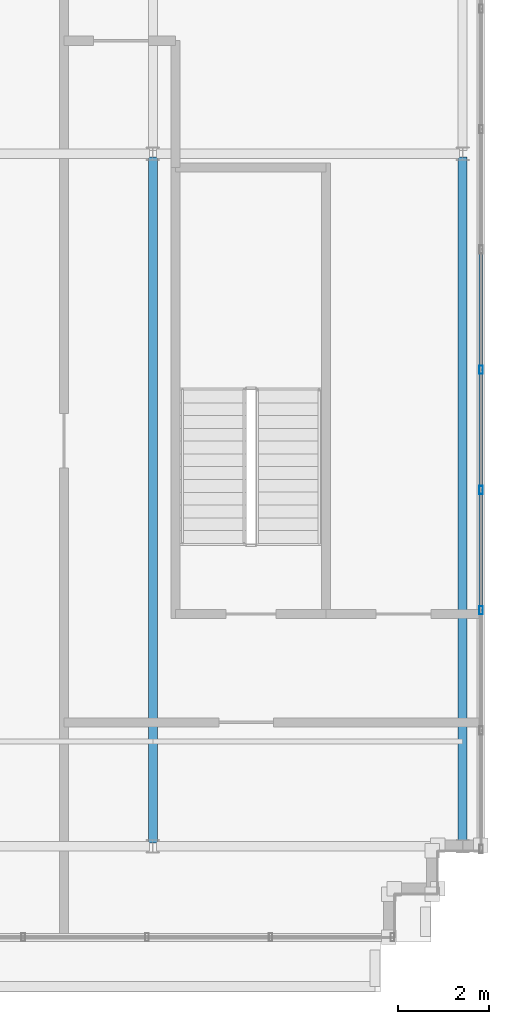
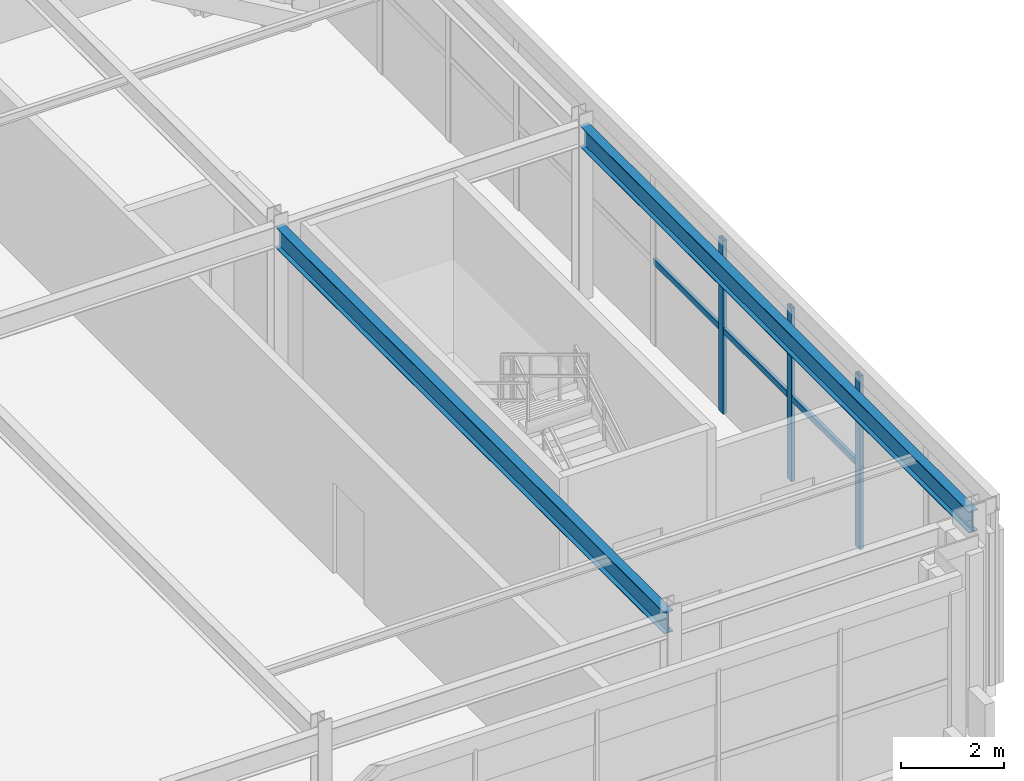
# One storey, part 17 of 31: 6 members, 2 beams, 1 element without a shape of its own.
"""IFC4 building model written with IfcOpenShell, lengths in metres."""

from ifc_helpers import new_model, si_unit, direction, frame, origin, origin_2d, place, context, subcontext, project, spatial, hollow_rectangle, i_section, extrude, source, transform, mapped, material, material_profile, profile_set, type_object, element, aggregate, save


model = new_model("IFC4")

# Units and contexts
model_context = context("Model", 3, precision=1e-05, world=origin(), true_north=direction((0.0, 1.0)))
body_context = subcontext(model_context, "Body", "Model", "MODEL_VIEW")
ifc_project = project(units=[si_unit("LENGTHUNIT", "METRE"), si_unit("AREAUNIT", "SQUARE_METRE"), si_unit("VOLUMEUNIT", "CUBIC_METRE"), si_unit("PLANEANGLEUNIT", "RADIAN"), si_unit("MASSUNIT", "GRAM", prefix="KILO")], contexts=[model_context])

# Site, building, storey
site_placement = place(None, origin())
site = spatial("IfcSite", under=ifc_project, at=site_placement, CompositionType="ELEMENT")
building_placement = place(site_placement, origin())
building = spatial("IfcBuilding", under=site, at=building_placement, Name="Trelvane Seafront Commons", CompositionType="ELEMENT")
storey_placement = place(building_placement, frame((0.0, 0.0, 307.89990234375)))
storey = spatial("IfcBuildingStorey", under=building, at=storey_placement, Name="L80", CompositionType="ELEMENT", Elevation=307.89990234375)

# Beams
ifc_material_1 = material(Name="Steel SM355 (S355)", Category="steel")
ifc_material_profile_1 = material_profile(ifc_material_1, i_section(OverallWidth=0.199951171875, OverallDepth=0.5, WebThickness=0.010009765625, FlangeThickness=0.01611328125, at=origin_2d()), Name="H-500x200x10x16")
ifc_profile_set_1 = profile_set([ifc_material_profile_1], Name="Steel SM355 (S355)")
beam_type = type_object("IfcBeamType", Name="STR-BM-H500", PredefinedType="BEAM", material=ifc_profile_set_1)
shared_shape_1 = source(origin(), body_context, "Body", "SweptSolid", [
    extrude(i_section(OverallWidth=0.199951171875, OverallDepth=0.5, WebThickness=0.010009765625, FlangeThickness=0.01611328125, at=origin_2d()), origin(), (0.0, 0.0, 1.0), 15.050048828125),
])
for number, where, z_axis, x_axis, name in (
    (1, (58.800048828125, 18.27490234375, 3.85009765625), (0.0, 1.0, 0.0), (-1.0, 0.0, 0.0), "L80 Primary Girder G-34"),
    (2, (65.60009765625, 18.27490234375, 3.85009765625), (0.0, 1.0, 0.0), (-1.0, 0.0, 0.0), "L80 Primary Girder G-36"),
):
    element("IfcBeam", number, at=place(storey_placement, frame(where, z_axis=z_axis, x_axis=x_axis)), inside=storey, type_object=beam_type, Name=name, PredefinedType="BEAM", context=body_context, shape_type="MappedRepresentation", body=[
        mapped(shared_shape_1, transform((0.0, 0.0, 0.0), x_axis=(1.0, 0.0, 0.0), y_axis=(0.0, 1.0, 0.0), z_axis=(0.0, 0.0, 1.0), scale=1.0)),
    ])

# Curtain wall, members
ifc_material_2 = material(Name="Anodised pale-silver aluminium", Category="aluminium")
curtain_wall_type = type_object("IfcCurtainWallType", Name="ARCH-CW6-CROWN", PredefinedType="NOTDEFINED", material=ifc_material_2)
curtain_wall_placement = place(storey_placement, origin())
curtain_wall = element("IfcCurtainWall", 3, at=curtain_wall_placement, inside=storey, type_object=curtain_wall_type, Name="CW-L80-0142", PredefinedType="NOTDEFINED")
ifc_material_profile_2 = material_profile(ifc_material_2, hollow_rectangle(XDim=0.080078125, YDim=0.179931640625, WallThickness=0.00439453125, at=origin_2d()), Name="MULL-80x180x4.5")
ifc_profile_set_2 = profile_set([ifc_material_profile_2], Name="Anodised pale-silver aluminium")
member_type_1 = type_object("IfcMemberType", Name="ARCH-CW-MULL-180", PredefinedType="MULLION", material=ifc_profile_set_2)
shared_shape_2 = source(origin(), body_context, "Body", "SweptSolid", [
    extrude(hollow_rectangle(XDim=0.080078125, YDim=0.179931640625, WallThickness=0.00439453125, at=origin_2d()), origin(), (0.0, 0.0, 1.0), 4.10009765625),
])
member_1_placement = place(storey_placement, frame((66.0, 28.659912109375, 0.0), z_axis=(0.0, 0.0, 1.0), x_axis=(1.0, 0.0, 0.0)))
member_1 = element("IfcMember", 4, at=member_1_placement, type_object=member_type_1, Name="CW-L80-0142-M06", PredefinedType="MULLION", context=body_context, shape_type="MappedRepresentation", body=[
    mapped(shared_shape_2, transform((0.0, 0.0, 0.0), x_axis=(1.0, 0.0, 0.0), y_axis=(0.0, 1.0, 0.0), z_axis=(0.0, 0.0, 1.0), scale=1.0)),
])
member_2_placement = place(storey_placement, frame((66.0, 26.02001953125, 0.0), z_axis=(0.0, 0.0, 1.0), x_axis=(1.0, 0.0, 0.0)))
member_2 = element("IfcMember", 5, at=member_2_placement, type_object=member_type_1, Name="CW-L80-0142-M07", PredefinedType="MULLION", context=body_context, shape_type="MappedRepresentation", body=[
    mapped(shared_shape_2, transform((0.0, 0.0, 0.0), x_axis=(1.0, 0.0, 0.0), y_axis=(0.0, 1.0, 0.0), z_axis=(0.0, 0.0, 1.0), scale=1.0)),
])
member_3_placement = place(storey_placement, frame((66.0, 23.3798828125, 0.0), z_axis=(0.0, 0.0, 1.0), x_axis=(1.0, 0.0, 0.0)))
member_3 = element("IfcMember", 6, at=member_3_placement, type_object=member_type_1, Name="CW-L80-0142-M08", PredefinedType="MULLION", context=body_context, shape_type="MappedRepresentation", body=[
    mapped(shared_shape_2, transform((0.0, 0.0, 0.0), x_axis=(1.0, 0.0, 0.0), y_axis=(0.0, 1.0, 0.0), z_axis=(0.0, 0.0, 1.0), scale=1.0)),
])
ifc_material_profile_3 = material_profile(ifc_material_2, hollow_rectangle(XDim=0.074951171875, YDim=0.139892578125, WallThickness=0.00390625, at=origin_2d()), Name="TRAN-75x140x4")
ifc_profile_set_3 = profile_set([ifc_material_profile_3], Name="Anodised pale-silver aluminium")
member_type_2 = type_object("IfcMemberType", Name="ARCH-CW-TRAN-140", PredefinedType="USERDEFINED", material=ifc_profile_set_3)
shared_shape_3 = source(origin(), body_context, "Body", "SweptSolid", [
    extrude(hollow_rectangle(XDim=0.074951171875, YDim=0.139892578125, WallThickness=0.00390625, at=origin_2d()), origin(), (0.0, 0.0, 1.0), 2.615966796875),
])
member_4_placement = place(storey_placement, frame((66.0, 31.2880859375, 1.968017578125), z_axis=(0.0, -1.0, 0.0), x_axis=(1.0, 0.0, 0.0)))
member_4 = element("IfcMember", 7, at=member_4_placement, type_object=member_type_2, Name="CW-L80-0142-T05", ObjectType="TRANSOM", PredefinedType="USERDEFINED", context=body_context, shape_type="MappedRepresentation", body=[
    mapped(shared_shape_3, transform((0.0, 0.0, 0.0), x_axis=(1.0, 0.0, 0.0), y_axis=(0.0, 1.0, 0.0), z_axis=(0.0, 0.0, 1.0), scale=1.0)),
])
member_5_placement = place(storey_placement, frame((66.0, 28.64794921875, 1.968017578125), z_axis=(0.0, -1.0, 0.0), x_axis=(1.0, 0.0, 0.0)))
member_5 = element("IfcMember", 8, at=member_5_placement, type_object=member_type_2, Name="CW-L80-0142-T06", ObjectType="TRANSOM", PredefinedType="USERDEFINED", context=body_context, shape_type="MappedRepresentation", body=[
    mapped(shared_shape_3, transform((0.0, 0.0, 0.0), x_axis=(1.0, 0.0, 0.0), y_axis=(0.0, 1.0, 0.0), z_axis=(0.0, 0.0, 1.0), scale=1.0)),
])
member_6_placement = place(storey_placement, frame((66.0, 26.008056640625, 1.968017578125), z_axis=(0.0, -1.0, 0.0), x_axis=(1.0, 0.0, 0.0)))
member_6 = element("IfcMember", 9, at=member_6_placement, type_object=member_type_2, Name="CW-L80-0142-T07", ObjectType="TRANSOM", PredefinedType="USERDEFINED", context=body_context, shape_type="MappedRepresentation", body=[
    mapped(shared_shape_3, transform((0.0, 0.0, 0.0), x_axis=(1.0, 0.0, 0.0), y_axis=(0.0, 1.0, 0.0), z_axis=(0.0, 0.0, 1.0), scale=1.0)),
])
aggregate(curtain_wall, [member_1, member_2, member_3, member_4, member_5, member_6])

save(model, "model.ifc")
